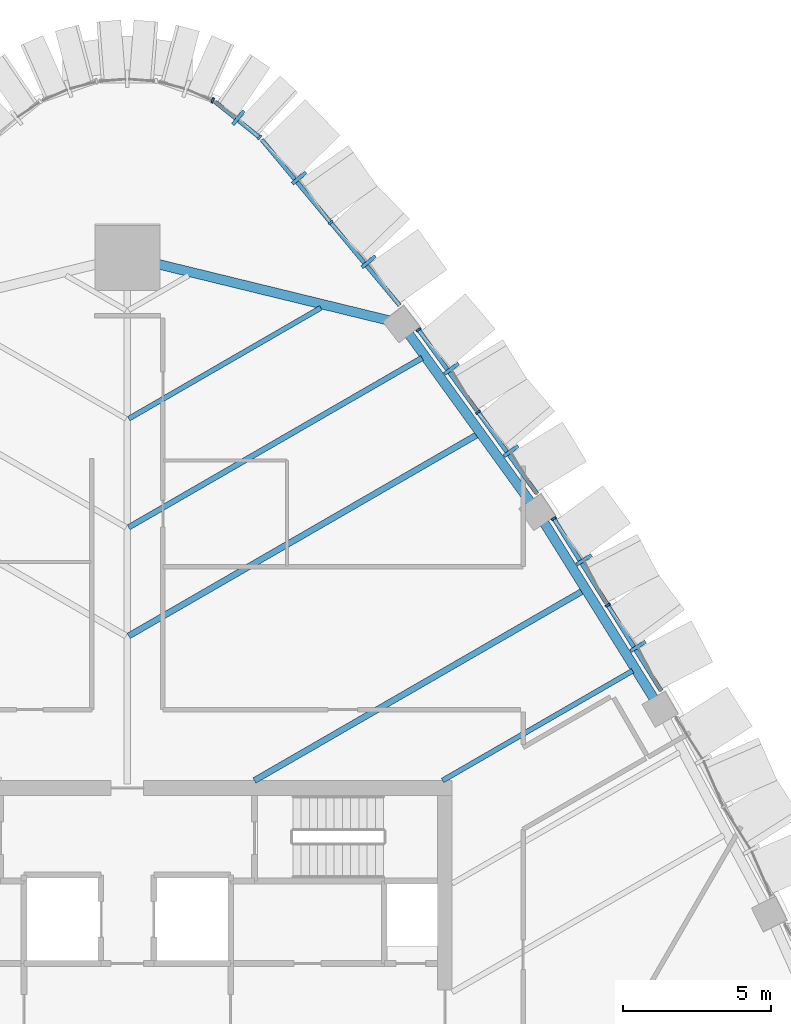
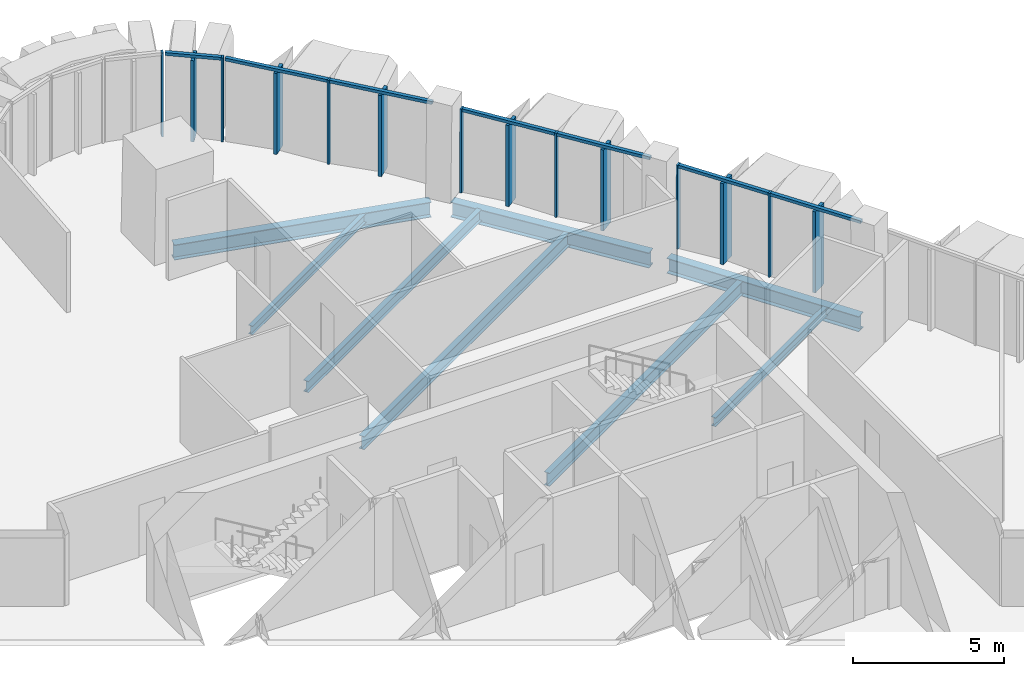
# One storey, part 7 of 19: 21 members, 8 beams, 5 elements without a shape of their own.
"""IFC4 building model written with IfcOpenShell, lengths in metres."""

from ifc_helpers import new_model, si_unit, direction, frame, origin, origin_2d, place, context, subcontext, project, spatial, rectangle, i_section, extrude, material, layer, layer_set, material_profile, profile_set, type_object, element, aggregate, save


model = new_model("IFC4")

# Units and contexts
model_context = context("Model", 3, precision=1e-05, world=origin(), true_north=direction((0.0, 1.0)))
body_context = subcontext(model_context, "Body", "Model", "MODEL_VIEW")
ifc_project = project(units=[si_unit("LENGTHUNIT", "METRE"), si_unit("AREAUNIT", "SQUARE_METRE"), si_unit("VOLUMEUNIT", "CUBIC_METRE"), si_unit("PLANEANGLEUNIT", "RADIAN"), si_unit("MASSUNIT", "GRAM", prefix="KILO")], contexts=[model_context])

# Site, building, storey
site_placement = place(None, origin())
site = spatial("IfcSite", under=ifc_project, at=site_placement, CompositionType="ELEMENT")
building_placement = place(site_placement, origin())
building = spatial("IfcBuilding", under=site, at=building_placement, Name="Sierra Prisma Convention Tower", CompositionType="ELEMENT")
storey_placement = place(building_placement, frame((0.0, 0.0, 231.0)))
storey = spatial("IfcBuildingStorey", under=building, at=storey_placement, Name="L51", CompositionType="ELEMENT", Elevation=231.0)

# Curtain wall, members
ifc_material_1 = material(Name="Aluminium and glass curtain wall", Category="aluminium")
ifc_layer = layer(ifc_material_1, 0.179931640625)
ifc_layer_set = layer_set([ifc_layer], Name="CW-2 Faceted crystal curtain wall")
curtain_wall_type = type_object("IfcCurtainWallType", Name="CW-2 Faceted crystal curtain wall", PredefinedType="NOTDEFINED", material=ifc_layer_set)
curtain_wall_1_placement = place(storey_placement, origin())
curtain_wall_1 = element("IfcCurtainWall", 1, at=curtain_wall_1_placement, inside=storey, type_object=curtain_wall_type, Name="CW-2 NE4 L51", PredefinedType="NOTDEFINED")
ifc_material_2 = material(Name="Aluminium 6063-T6 bronze anodised", Category="aluminium")
ifc_material_profile_1 = material_profile(ifc_material_2, rectangle(XDim=0.1201171875, YDim=0.60009765625, at=origin_2d()), Name="ALU RIDGE BLADE 120x600")
ifc_profile_set_1 = profile_set([ifc_material_profile_1], Name="Aluminium 6063-T6 bronze anodised")
member_type_1 = type_object("IfcMemberType", Name="CW hip bronze", PredefinedType="MULLION", material=ifc_profile_set_1)
member_1_placement = place(storey_placement, frame((17.295654296875, 12.54443359375, 0.0), z_axis=(0.0, 0.0, 1.0), x_axis=(-0.529211226778, 0.848490116296, 0.0)))
member_1 = element("IfcMember", 2, at=member_1_placement, type_object=member_type_1, Name="CW-2 ridge NE4.1", PredefinedType="MULLION", context=body_context, shape_type="SweptSolid", body=[
    extrude(rectangle(XDim=0.1201171875, YDim=0.60009765625, at=origin_2d()), origin(), (0.0, 0.0, 1.0), 3.280029296875),
])
member_2_placement = place(storey_placement, frame((15.467041015625, 15.47607421875, 0.0), z_axis=(0.0, 0.0, 1.0), x_axis=(-0.529211226778, 0.848490116296, 0.0)))
member_2 = element("IfcMember", 3, at=member_2_placement, type_object=member_type_1, Name="CW-2 ridge NE4.2", PredefinedType="MULLION", context=body_context, shape_type="SweptSolid", body=[
    extrude(rectangle(XDim=0.1201171875, YDim=0.60009765625, at=origin_2d()), origin(), (0.0, 0.0, 1.0), 3.280029296875),
])

curtain_wall_2_placement = place(storey_placement, origin())
curtain_wall_2 = element("IfcCurtainWall", 4, at=curtain_wall_2_placement, inside=storey, type_object=curtain_wall_type, Name="CW-2 NE5 L51", PredefinedType="NOTDEFINED")
member_3_placement = place(storey_placement, frame((12.99267578125, 19.157958984375, 0.0), z_axis=(0.0, 0.0, 1.0), x_axis=(-0.585757588825, 0.810486302866, 0.0)))
member_3 = element("IfcMember", 5, at=member_3_placement, type_object=member_type_1, Name="CW-2 ridge NE5.1", PredefinedType="MULLION", context=body_context, shape_type="SweptSolid", body=[
    extrude(rectangle(XDim=0.1201171875, YDim=0.60009765625, at=origin_2d()), origin(), (0.0, 0.0, 1.0), 3.280029296875),
])
member_4_placement = place(storey_placement, frame((10.9775390625, 21.9462890625, 0.0), z_axis=(0.0, 0.0, 1.0), x_axis=(-0.585757588825, 0.810486302866, 0.0)))
member_4 = element("IfcMember", 6, at=member_4_placement, type_object=member_type_1, Name="CW-2 ridge NE5.2", PredefinedType="MULLION", context=body_context, shape_type="SweptSolid", body=[
    extrude(rectangle(XDim=0.1201171875, YDim=0.60009765625, at=origin_2d()), origin(), (0.0, 0.0, 1.0), 3.280029296875),
])

curtain_wall_3_placement = place(storey_placement, origin())
curtain_wall_3 = element("IfcCurtainWall", 7, at=curtain_wall_3_placement, inside=storey, type_object=curtain_wall_type, Name="CW-2 NE6 L51", PredefinedType="NOTDEFINED")
member_5_placement = place(storey_placement, frame((8.173828125, 25.57080078125, 0.0), z_axis=(0.0, 0.0, 1.0), x_axis=(-0.639584992487, 0.768720389599, 0.0)))
member_5 = element("IfcMember", 8, at=member_5_placement, type_object=member_type_1, Name="CW-2 ridge NE6.1", PredefinedType="MULLION", context=body_context, shape_type="SweptSolid", body=[
    extrude(rectangle(XDim=0.1201171875, YDim=0.60009765625, at=origin_2d()), origin(), (0.0, 0.0, 1.0), 3.280029296875),
])
member_6_placement = place(storey_placement, frame((5.816162109375, 28.404541015625, 0.0), z_axis=(0.0, 0.0, 1.0), x_axis=(-0.639584992487, 0.768720389599, 0.0)))
member_6 = element("IfcMember", 9, at=member_6_placement, type_object=member_type_1, Name="CW-2 ridge NE6.2", PredefinedType="MULLION", context=body_context, shape_type="SweptSolid", body=[
    extrude(rectangle(XDim=0.1201171875, YDim=0.60009765625, at=origin_2d()), origin(), (0.0, 0.0, 1.0), 3.280029296875),
])

# Curtain wall, member
curtain_wall_4_placement = place(storey_placement, origin())
curtain_wall_4 = element("IfcCurtainWall", 10, at=curtain_wall_4_placement, inside=storey, type_object=curtain_wall_type, Name="CW-2 N1 L51", PredefinedType="NOTDEFINED")
member_7_placement = place(storey_placement, frame((3.760986328125, 30.447265625, 0.0), z_axis=(0.0, 0.0, 1.0), x_axis=(-0.781198553278, 0.624282644606, 0.0)))
member_7 = element("IfcMember", 11, at=member_7_placement, type_object=member_type_1, Name="CW-2 ridge N1.1", PredefinedType="MULLION", context=body_context, shape_type="SweptSolid", body=[
    extrude(rectangle(XDim=0.1201171875, YDim=0.60009765625, at=origin_2d()), origin(), (0.0, 0.0, 1.0), 3.280029296875),
])

# Member
ifc_material_3 = material(Name="Aluminium 6063-T6 bronze anodised", Category="aluminium")
ifc_material_profile_2 = material_profile(ifc_material_3, rectangle(XDim=0.179931640625, YDim=0.070068359375, at=origin_2d()), Name="ALU MULLION 70x180")
ifc_profile_set_2 = profile_set([ifc_material_profile_2], Name="Aluminium 6063-T6 bronze anodised")
member_type_2 = type_object("IfcMemberType", Name="CW mullion bronze", PredefinedType="MULLION", material=ifc_profile_set_2)
member_8_placement = place(storey_placement, frame((16.268310546875, 13.939697265625, 0.0), z_axis=(0.0, 0.0, 1.0), x_axis=(-0.848490116296, -0.529211226778, 0.0)))
member_8 = element("IfcMember", 12, at=member_8_placement, type_object=member_type_2, Name="CW-1 mullion NE4.2", PredefinedType="MULLION", context=body_context, shape_type="SweptSolid", body=[
    extrude(rectangle(XDim=0.179931640625, YDim=0.070068359375, at=origin_2d()), origin(), (0.0, 0.0, 1.0), 3.39990234375),
])

member_9_placement = place(storey_placement, frame((14.439697265625, 16.87158203125, 0.0), z_axis=(0.0, 0.0, 1.0), x_axis=(-0.848490116296, -0.529211226778, 0.0)))
member_9 = element("IfcMember", 13, at=member_9_placement, type_object=member_type_2, Name="CW-1 mullion NE4.3", PredefinedType="MULLION", context=body_context, shape_type="SweptSolid", body=[
    extrude(rectangle(XDim=0.179931640625, YDim=0.070068359375, at=origin_2d()), origin(), (0.0, 0.0, 1.0), 3.39990234375),
])

member_10_placement = place(storey_placement, frame((11.87744140625, 20.474365234375, 0.0), z_axis=(0.0, 0.0, 1.0), x_axis=(-0.810486302866, -0.585757588825, 0.0)))
member_10 = element("IfcMember", 14, at=member_10_placement, type_object=member_type_2, Name="CW-1 mullion NE5.2", PredefinedType="MULLION", context=body_context, shape_type="SweptSolid", body=[
    extrude(rectangle(XDim=0.179931640625, YDim=0.070068359375, at=origin_2d()), origin(), (0.0, 0.0, 1.0), 3.39990234375),
])

member_11_placement = place(storey_placement, frame((9.862548828125, 23.2626953125, 0.0), z_axis=(0.0, 0.0, 1.0), x_axis=(-0.810486302866, -0.585757588825, 0.0)))
member_11 = element("IfcMember", 15, at=member_11_placement, type_object=member_type_2, Name="CW-1 mullion NE5.3", PredefinedType="MULLION", context=body_context, shape_type="SweptSolid", body=[
    extrude(rectangle(XDim=0.179931640625, YDim=0.070068359375, at=origin_2d()), origin(), (0.0, 0.0, 1.0), 3.39990234375),
])

member_12_placement = place(storey_placement, frame((6.8857421875, 26.896728515625, 0.0), z_axis=(0.0, 0.0, 1.0), x_axis=(-0.768720389599, -0.639584992487, 0.0)))
member_12 = element("IfcMember", 16, at=member_12_placement, type_object=member_type_2, Name="CW-1 mullion NE6.2", PredefinedType="MULLION", context=body_context, shape_type="SweptSolid", body=[
    extrude(rectangle(XDim=0.179931640625, YDim=0.070068359375, at=origin_2d()), origin(), (0.0, 0.0, 1.0), 3.39990234375),
])

member_13_placement = place(storey_placement, frame((4.478271484375, 29.779052734375, 0.0), z_axis=(0.0, 0.0, 1.0), x_axis=(-0.624282644606, -0.781198553278, 0.0)))
member_13 = element("IfcMember", 17, at=member_13_placement, type_object=member_type_2, Name="CW-1 mullion N1.1", PredefinedType="MULLION", context=body_context, shape_type="SweptSolid", body=[
    extrude(rectangle(XDim=0.179931640625, YDim=0.070068359375, at=origin_2d()), origin(), (0.0, 0.0, 1.0), 3.39990234375),
])

# Curtain wall, member
curtain_wall_5_placement = place(storey_placement, origin())
curtain_wall_5 = element("IfcCurtainWall", 18, at=curtain_wall_5_placement, inside=storey, type_object=curtain_wall_type, Name="CW-2 N2 L51", PredefinedType="NOTDEFINED")
member_14_placement = place(storey_placement, frame((2.890625, 31.032958984375, 0.0), z_axis=(0.0, 0.0, 1.0), x_axis=(-0.330757801663, -0.943715675741, 0.0)))
member_14 = element("IfcMember", 19, at=member_14_placement, type_object=member_type_2, Name="CW-1 mullion N2.1", PredefinedType="MULLION", context=body_context, shape_type="SweptSolid", body=[
    extrude(rectangle(XDim=0.179931640625, YDim=0.070068359375, at=origin_2d()), origin(), (0.0, 0.0, 1.0), 3.39990234375),
])
aggregate(curtain_wall_5, [member_14])

# Member
ifc_material_4 = material(Name="Aluminium 6063-T6 bronze anodised", Category="aluminium")
ifc_material_profile_3 = material_profile(ifc_material_4, rectangle(XDim=0.139892578125, YDim=0.1201171875, at=origin_2d()), Name="ALU TRANSOM 120x140")
ifc_profile_set_3 = profile_set([ifc_material_profile_3], Name="Aluminium 6063-T6 bronze anodised")
member_type_3 = type_object("IfcMemberType", Name="CW transom bronze", PredefinedType="USERDEFINED", material=ifc_profile_set_3)
member_15_placement = place(storey_placement, frame((18.078369140625, 11.03759765625, 3.340087890625), z_axis=(-0.529214310303, 0.848488193065, 0.0), x_axis=(-0.848488193065, -0.529214310303, 0.0)))
member_15 = element("IfcMember", 20, at=member_15_placement, type_object=member_type_3, Name="CW-1 transom NE4.1", ObjectType="TRANSOM", PredefinedType="USERDEFINED", context=body_context, shape_type="SweptSolid", body=[
    extrude(rectangle(XDim=0.139892578125, YDim=0.1201171875, at=origin_2d()), origin(), (0.0, 0.0, 1.0), 3.38525390625),
])

member_16_placement = place(storey_placement, frame((16.249755859375, 13.969482421875, 3.340087890625), z_axis=(-0.529214310303, 0.848488193065, 0.0), x_axis=(-0.848488193065, -0.529214310303, 0.0)))
member_16 = element("IfcMember", 21, at=member_16_placement, type_object=member_type_3, Name="CW-1 transom NE4.2", ObjectType="TRANSOM", PredefinedType="USERDEFINED", context=body_context, shape_type="SweptSolid", body=[
    extrude(rectangle(XDim=0.139892578125, YDim=0.1201171875, at=origin_2d()), origin(), (0.0, 0.0, 1.0), 3.38525390625),
])

aggregate(curtain_wall_1, [member_8, member_9, member_15, member_1, member_16, member_2])

member_17_placement = place(storey_placement, frame((13.8720703125, 17.714599609375, 3.340087890625), z_axis=(-0.585765593826, 0.810480517403, 0.0), x_axis=(-0.810480517403, -0.585765593826, 0.0)))
member_17 = element("IfcMember", 22, at=member_17_placement, type_object=member_type_3, Name="CW-1 transom NE5.1", ObjectType="TRANSOM", PredefinedType="USERDEFINED", context=body_context, shape_type="SweptSolid", body=[
    extrude(rectangle(XDim=0.139892578125, YDim=0.1201171875, at=origin_2d()), origin(), (0.0, 0.0, 1.0), 3.3701171875),
])

member_18_placement = place(storey_placement, frame((11.85693359375, 20.5029296875, 3.340087890625), z_axis=(-0.585718005226, 0.810514909396, 0.0), x_axis=(-0.810514909396, -0.585718005226, 0.0)))
member_18 = element("IfcMember", 23, at=member_18_placement, type_object=member_type_3, Name="CW-1 transom NE5.2", ObjectType="TRANSOM", PredefinedType="USERDEFINED", context=body_context, shape_type="SweptSolid", body=[
    extrude(rectangle(XDim=0.139892578125, YDim=0.1201171875, at=origin_2d()), origin(), (0.0, 0.0, 1.0), 3.3701171875),
])

aggregate(curtain_wall_2, [member_10, member_11, member_17, member_3, member_18, member_4])

member_19_placement = place(storey_placement, frame((9.220947265625, 24.08984375, 3.340087890625), z_axis=(-0.639613133688, 0.768696974896, 0.0), x_axis=(-0.768696974896, -0.639613133688, 0.0)))
member_19 = element("IfcMember", 24, at=member_19_placement, type_object=member_type_3, Name="CW-1 transom NE6.1", ObjectType="TRANSOM", PredefinedType="USERDEFINED", context=body_context, shape_type="SweptSolid", body=[
    extrude(rectangle(XDim=0.139892578125, YDim=0.1201171875, at=origin_2d()), origin(), (0.0, 0.0, 1.0), 3.6162109375),
])

member_20_placement = place(storey_placement, frame((6.86328125, 26.923583984375, 3.340087890625), z_axis=(-0.639613133688, 0.768696974896, 0.0), x_axis=(-0.768696974896, -0.639613133688, 0.0)))
member_20 = element("IfcMember", 25, at=member_20_placement, type_object=member_type_3, Name="CW-1 transom NE6.2", ObjectType="TRANSOM", PredefinedType="USERDEFINED", context=body_context, shape_type="SweptSolid", body=[
    extrude(rectangle(XDim=0.139892578125, YDim=0.1201171875, at=origin_2d()), origin(), (0.0, 0.0, 1.0), 3.6162109375),
])

aggregate(curtain_wall_3, [member_12, member_19, member_5, member_20, member_6])

member_21_placement = place(storey_placement, frame((4.450927734375, 29.801025390625, 3.340087890625), z_axis=(-0.78122247585, 0.624252707825, 0.0), x_axis=(-0.624252707825, -0.78122247585, 0.0)))
member_21 = element("IfcMember", 26, at=member_21_placement, type_object=member_type_3, Name="CW-1 transom N1.1", ObjectType="TRANSOM", PredefinedType="USERDEFINED", context=body_context, shape_type="SweptSolid", body=[
    extrude(rectangle(XDim=0.139892578125, YDim=0.1201171875, at=origin_2d()), origin(), (0.0, 0.0, 1.0), 1.885009765625),
])

aggregate(curtain_wall_4, [member_13, member_21, member_7])

# Beams
ifc_material_5 = material(Name="Steel ASTM A992 Gr 50", Category="steel")
ifc_material_profile_4 = material_profile(ifc_material_5, i_section(OverallWidth=0.172119140625, OverallDepth=0.35791015625, WebThickness=0.0078125, FlangeThickness=0.01318359375, at=origin_2d()), Name="W360x57")
ifc_profile_set_4 = profile_set([ifc_material_profile_4], Name="Steel ASTM A992 Gr 50")
beam_type_1 = type_object("IfcBeamType", Name="Floor joist W360x57", PredefinedType="JOIST", material=ifc_profile_set_4)
beam_1_placement = place(storey_placement, frame((17.109619140625, 11.717041015625, -0.3291015625), z_axis=(-0.866013304951, -0.500020955208, 0.0), x_axis=(0.500020955208, -0.866013304951, 0.0)))
element("IfcBeam", 27, at=beam_1_placement, inside=storey, type_object=beam_type_1, Name="Floor joist L51 NE08", PredefinedType="JOIST", context=body_context, shape_type="SweptSolid", body=[
    extrude(i_section(OverallWidth=0.172119140625, OverallDepth=0.35791015625, WebThickness=0.0078125, FlangeThickness=0.01318359375, at=origin_2d()), origin(), (0.0, 0.0, 1.0), 7.433837890625),
])
beam_2_placement = place(storey_placement, frame((6.5537109375, 24.0087890625, -0.3291015625), z_axis=(-0.866037344384, -0.499979317704, 0.0), x_axis=(0.499979317704, -0.866037344384, 0.0)))
element("IfcBeam", 28, at=beam_2_placement, inside=storey, type_object=beam_type_1, Name="Floor joist L51 NE13", PredefinedType="JOIST", context=body_context, shape_type="SweptSolid", body=[
    extrude(i_section(OverallWidth=0.172119140625, OverallDepth=0.35791015625, WebThickness=0.0078125, FlangeThickness=0.01318359375, at=origin_2d()), origin(), (0.0, 0.0, 1.0), 7.514404296875),
])
ifc_material_6 = material(Name="Steel ASTM A992 Gr 50", Category="steel")
ifc_material_profile_5 = material_profile(ifc_material_6, i_section(OverallWidth=0.18994140625, OverallDepth=0.45703125, WebThickness=0.009033203125, FlangeThickness=0.014404296875, at=origin_2d()), Name="W460x74")
ifc_profile_set_5 = profile_set([ifc_material_profile_5], Name="Steel ASTM A992 Gr 50")
beam_type_2 = type_object("IfcBeamType", Name="Floor joist W460x74", PredefinedType="JOIST", material=ifc_profile_set_5)
beam_3_placement = place(storey_placement, frame((9.980224609375, 22.31005859375, -0.37841796875), z_axis=(-0.866025033342, -0.500000641624, 0.0), x_axis=(0.500000641624, -0.866025033342, 0.0)))
element("IfcBeam", 29, at=beam_3_placement, inside=storey, type_object=beam_type_2, Name="Floor joist L51 NE12", PredefinedType="JOIST", context=body_context, shape_type="SweptSolid", body=[
    extrude(i_section(OverallWidth=0.18994140625, OverallDepth=0.45703125, WebThickness=0.009033203125, FlangeThickness=0.014404296875, at=origin_2d()), origin(), (0.0, 0.0, 1.0), 11.47119140625),
])
ifc_material_7 = material(Name="Steel ASTM A992 Gr 50", Category="steel")
ifc_material_profile_6 = material_profile(ifc_material_7, i_section(OverallWidth=0.208984375, OverallDepth=0.532958984375, WebThickness=0.01025390625, FlangeThickness=0.015625, at=origin_2d()), Name="W530x92")
ifc_profile_set_6 = profile_set([ifc_material_profile_6], Name="Steel ASTM A992 Gr 50")
beam_type_3 = type_object("IfcBeamType", Name="Floor joist W530x92", PredefinedType="JOIST", material=ifc_profile_set_6)
beam_4_placement = place(storey_placement, frame((15.42333984375, 14.420654296875, -0.41650390625), z_axis=(-0.866024433266, -0.500001680983, 0.0), x_axis=(0.500001680983, -0.866024433266, 0.0)))
element("IfcBeam", 30, at=beam_4_placement, inside=storey, type_object=beam_type_3, Name="Floor joist L51 NE09", PredefinedType="JOIST", context=body_context, shape_type="SweptSolid", body=[
    extrude(i_section(OverallWidth=0.208984375, OverallDepth=0.532958984375, WebThickness=0.01025390625, FlangeThickness=0.015625, at=origin_2d()), origin(), (0.0, 0.0, 1.0), 12.84130859375),
])
beam_5_placement = place(storey_placement, frame((11.85546875, 19.71533203125, -0.41650390625), z_axis=(-0.866029956157, -0.499992114976, 0.0), x_axis=(0.499992114976, -0.866029956157, 0.0)))
element("IfcBeam", 31, at=beam_5_placement, inside=storey, type_object=beam_type_3, Name="Floor joist L51 NE11", PredefinedType="JOIST", context=body_context, shape_type="SweptSolid", body=[
    extrude(i_section(OverallWidth=0.208984375, OverallDepth=0.532958984375, WebThickness=0.01025390625, FlangeThickness=0.015625, at=origin_2d()), origin(), (0.0, 0.0, 1.0), 13.636474609375),
])
ifc_material_8 = material(Name="Steel ASTM A992 Gr 50", Category="steel")
ifc_material_profile_7 = material_profile(ifc_material_8, i_section(OverallWidth=0.324951171875, OverallDepth=0.615966796875, WebThickness=0.013916015625, FlangeThickness=0.021484375, at=origin_2d()), Name="W610x174")
ifc_profile_set_7 = profile_set([ifc_material_profile_7], Name="Steel ASTM A992 Gr 50")
beam_type_4 = type_object("IfcBeamType", Name="Spandrel beam W610x174", PredefinedType="BEAM", material=ifc_profile_set_7)
beam_6_placement = place(storey_placement, frame((17.875732421875, 10.70166015625, -0.4580078125), z_axis=(-0.529207157908, 0.848492654075, 0.0), x_axis=(-0.848492654075, -0.529207157908, 0.0)))
element("IfcBeam", 32, at=beam_6_placement, inside=storey, type_object=beam_type_4, Name="Spandrel L51-10", PredefinedType="BEAM", context=body_context, shape_type="SweptSolid", body=[
    extrude(i_section(OverallWidth=0.324951171875, OverallDepth=0.615966796875, WebThickness=0.013916015625, FlangeThickness=0.021484375, at=origin_2d()), origin(), (0.0, 0.0, 1.0), 7.208251953125),
])
beam_7_placement = place(storey_placement, frame((13.692626953125, 17.36572265625, -0.4580078125), z_axis=(-0.585756402334, 0.81048716037, 0.0), x_axis=(-0.81048716037, -0.585756402334, 0.0)))
element("IfcBeam", 33, at=beam_7_placement, inside=storey, type_object=beam_type_4, Name="Spandrel L51-11", PredefinedType="BEAM", context=body_context, shape_type="SweptSolid", body=[
    extrude(i_section(OverallWidth=0.324951171875, OverallDepth=0.615966796875, WebThickness=0.013916015625, FlangeThickness=0.021484375, at=origin_2d()), origin(), (0.0, 0.0, 1.0), 7.2080078125),
])
beam_8_placement = place(storey_placement, frame((8.835205078125, 23.58349609375, -0.4580078125), z_axis=(-0.971455846126, 0.237220443949, 0.0), x_axis=(-0.237220443949, -0.971455846126, 0.0)))
element("IfcBeam", 34, at=beam_8_placement, inside=storey, type_object=beam_type_4, Name="Spandrel L51-12", PredefinedType="BEAM", context=body_context, shape_type="SweptSolid", body=[
    extrude(i_section(OverallWidth=0.324951171875, OverallDepth=0.615966796875, WebThickness=0.013916015625, FlangeThickness=0.021484375, at=origin_2d()), origin(), (0.0, 0.0, 1.0), 8.868408203125),
])

save(model, "model.ifc")
